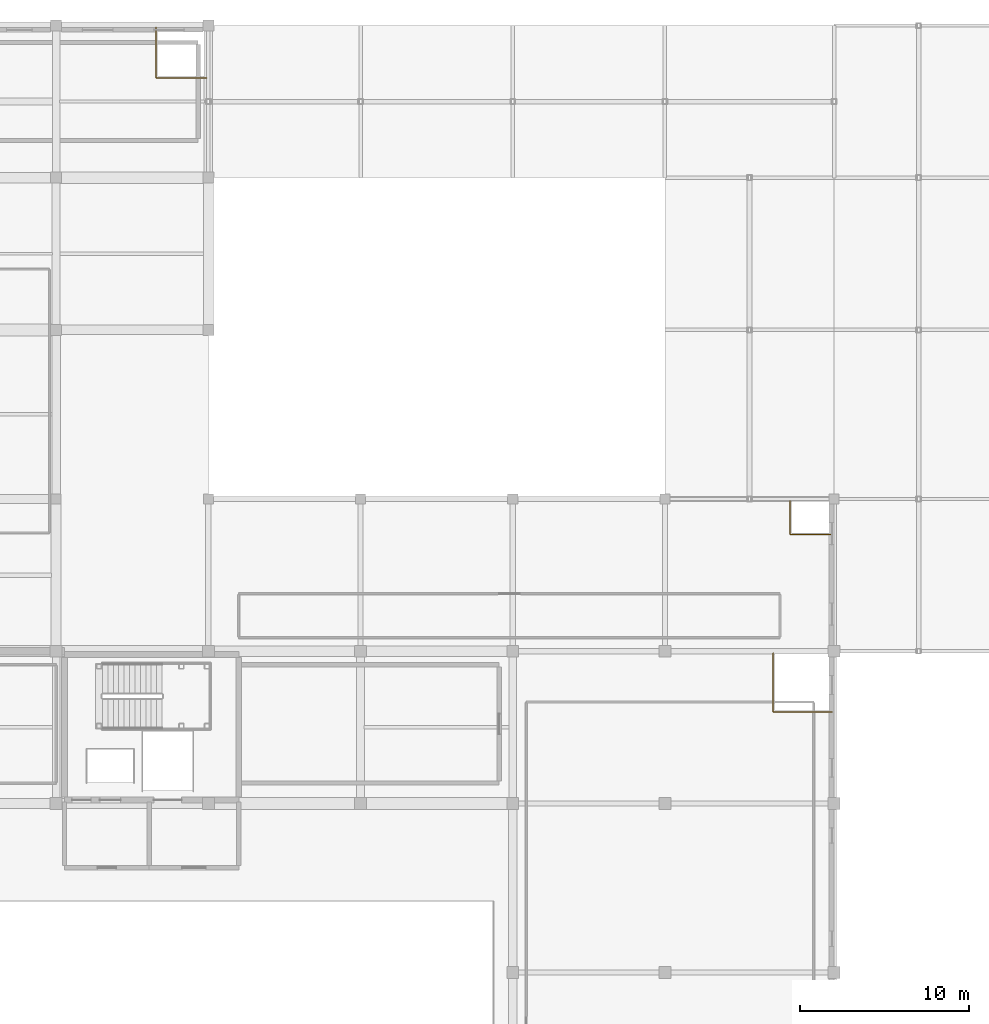
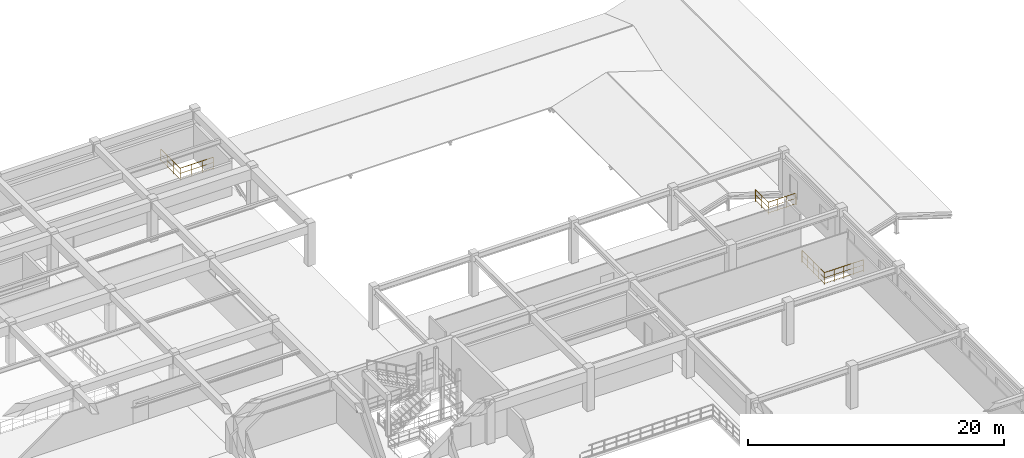
# One storey, part 110 of 110: 3 railings.
"""IFC4 building model written with IfcOpenShell, lengths in metres."""

import ifcopenshell
import ifcopenshell.guid

model = None  # the IFC model being written
_history = None  # IfcOwnerHistory: only IFC2X3 demands one
_inside = {}  # id of a spatial element -> (the spatial element, [elements in it])
_under = {}  # id of a project, library or spatial element -> (it, [spatial elements below it])
_declared = {}  # id of a project -> (the project, [libraries it declares])
_typed = {}  # id of a type object -> (the type object, [elements of that type])
_made_of = {}  # id of a material, layer set ... -> (it, [elements and type objects made of it])


def new_model(schema):
    """Start an empty IFC model of exactly this schema.

    Asked for "IFC4X3", IfcOpenShell would pick the latest addendum, in which some entities
    have other attributes; the version numbers below select the first issue.
    IFC2X3 requires an IfcOwnerHistory on every rooted entity: one is made here for all.
    """
    global model, _history
    if schema == "IFC4X3":
        model = ifcopenshell.file(schema_version=(4, 3, 0, 0))
    else:
        model = ifcopenshell.file(schema=schema)
    _inside.clear()
    _under.clear()
    _declared.clear()
    _typed.clear()
    _made_of.clear()
    _history = None
    if model.schema == "IFC2X3":
        org = make("IfcOrganization", Name="unknown")
        user = make(
            "IfcPersonAndOrganization",
            ThePerson=make("IfcPerson", FamilyName="unknown"),
            TheOrganization=org,
        )
        app = make(
            "IfcApplication",
            ApplicationDeveloper=org,
            Version="unknown",
            ApplicationFullName="unknown",
            ApplicationIdentifier="unknown",
        )
        _history = make(
            "IfcOwnerHistory",
            OwningUser=user,
            OwningApplication=app,
            ChangeAction="ADDED",
            CreationDate=0,
        )
    return model


def make(cls, **values):
    """One entity of the class cls with the attributes given. An attribute that is None is left unset."""
    return model.create_entity(
        cls, **{name: value for name, value in values.items() if value is not None}
    )


def rooted(cls, **values):
    """An entity with a GlobalId (a new one), such as an element, a storey or a relation."""
    return make(cls, GlobalId=ifcopenshell.guid.new(), OwnerHistory=_history, **values)


def si_unit(unit_type, name, prefix=None):
    """IfcSIUnit, for example si_unit("LENGTHUNIT", "METRE", prefix="MILLI")."""
    return make("IfcSIUnit", UnitType=unit_type, Prefix=prefix, Name=name)


def assignment(units):
    """IfcUnitAssignment: the units of a project."""
    return None if units is None else make("IfcUnitAssignment", Units=units)


def point(xyz):
    """IfcCartesianPoint."""
    return None if xyz is None else make("IfcCartesianPoint", Coordinates=xyz)


def direction(xyz):
    """IfcDirection."""
    return None if xyz is None else make("IfcDirection", DirectionRatios=xyz)


def frame(location, z_axis=None, x_axis=None):
    """IfcAxis2Placement3D, a coordinate frame: its origin and axes. An axis left out is left unset."""
    return make(
        "IfcAxis2Placement3D",
        Location=point(location),
        Axis=direction(z_axis),
        RefDirection=direction(x_axis),
    )


def frame_2d(location, x_axis=None):
    """IfcAxis2Placement2D, a coordinate frame in the plane: its origin and x axis."""
    return make(
        "IfcAxis2Placement2D", Location=point(location), RefDirection=direction(x_axis)
    )


def origin():
    """The frame at (0, 0, 0) with its axes left unset."""
    return frame((0.0, 0.0, 0.0))


def origin_2d():
    """The frame at (0, 0) in the plane with its x axis left unset."""
    return frame_2d((0.0, 0.0))


def place(relative_to, where):
    """IfcLocalPlacement: puts the frame where relative to a parent placement (None: the world)."""
    return make(
        "IfcLocalPlacement", PlacementRelTo=relative_to, RelativePlacement=where
    )


def context(
    kind, dimensions, precision=None, world=None, true_north=None, identifier=None
):
    """IfcGeometricRepresentationContext, for example the 3D "Model" context."""
    return make(
        "IfcGeometricRepresentationContext",
        ContextIdentifier=identifier,
        ContextType=kind,
        CoordinateSpaceDimension=dimensions,
        Precision=precision,
        WorldCoordinateSystem=world,
        TrueNorth=true_north,
    )


def subcontext(parent, identifier, kind, view, scale=None):
    """IfcGeometricRepresentationSubContext, for example "Body" below "Model"."""
    return make(
        "IfcGeometricRepresentationSubContext",
        ContextIdentifier=identifier,
        ContextType=kind,
        ParentContext=parent,
        TargetScale=scale,
        TargetView=view,
    )


def project(units=None, contexts=None):
    """IfcProject with its units and contexts."""
    return rooted(
        "IfcProject",
        Name="project",
        RepresentationContexts=contexts,
        UnitsInContext=assignment(units),
    )


def spatial(cls, under=None, at=None, **own):
    """A site, building, storey or space (cls), placed at a placement, below another one or the project."""
    s = rooted(cls, ObjectPlacement=at, **own)
    if under is not None:
        _under.setdefault(under.id(), (under, []))[1].append(s)
    return s


def profile(cls, at=None, kind="AREA", **sizes):
    """A parametric profile (cls). Its sizes go by their IFC names, for example OverallWidth=200.0."""
    return make(cls, ProfileType=kind, Position=at, **sizes)


def circle(**sizes):
    """IfcCircleProfileDef."""
    return profile("IfcCircleProfileDef", **sizes)


def extrude(swept, where, along, depth):
    """IfcExtrudedAreaSolid: the profile swept, set in the frame where, extruded along a direction by depth."""
    return make(
        "IfcExtrudedAreaSolid",
        SweptArea=swept,
        Position=where,
        ExtrudedDirection=direction(along),
        Depth=depth,
    )


def shape(context_of_items, identifier, shape_type, items):
    """IfcShapeRepresentation: the items that make up one representation, for example the "Body"."""
    return make(
        "IfcShapeRepresentation",
        ContextOfItems=context_of_items,
        RepresentationIdentifier=identifier,
        RepresentationType=shape_type,
        Items=items,
    )


def material(Name=None, Category=None):
    """IfcMaterial."""
    return make("IfcMaterial", Name=Name, Category=Category)


def made_of(thing, what):
    """Note that an element or type object is made of a material, layer set ...; save() writes the relation."""
    if what is not None:
        _made_of.setdefault(what.id(), (what, []))[1].append(thing)
    return thing


def type_object(cls, material=None, **own):
    """A type object (cls), such as IfcWallType, which elements share."""
    return made_of(rooted(cls, **own), material)


def element(
    cls,
    number,
    at=None,
    inside=None,
    cuts=None,
    type_object=None,
    material=None,
    context=None,
    identifier="Body",
    shape_type=None,
    held_by="IfcProductDefinitionShape",
    body=None,
    shapes=None,
    **own,
):
    """One element of the class cls, such as IfcWall. Its Tag is "e" and its number.

    at: its placement. inside: the storey or other place that contains it. cuts: it is an
    opening in that element (IfcRelVoidsElement). A single representation is given by context,
    identifier, shape_type and body (its items); several are given by shapes. held_by: the class
    of the entity that holds the representations. save() writes the other relations.
    """
    e = rooted(cls, Tag="e%d" % number, ObjectPlacement=at, **own)
    if body is not None:
        shapes = [shape(context, identifier, shape_type, body)]
    if shapes is not None:
        e.Representation = make(held_by, Representations=shapes)
    if inside is not None:
        _inside.setdefault(inside.id(), (inside, []))[1].append(e)
    if cuts is not None:
        rooted(
            "IfcRelVoidsElement", RelatingBuildingElement=cuts, RelatedOpeningElement=e
        )
    if type_object is not None:
        _typed.setdefault(type_object.id(), (type_object, []))[1].append(e)
    return made_of(e, material)


def aggregate(whole, parts):
    """IfcRelAggregates: a whole, such as a stair, and the parts it consists of."""
    return rooted("IfcRelAggregates", RelatingObject=whole, RelatedObjects=parts)


def save(model, path):
    """Write the relations noted so far, then the file.

    IfcRelAggregates (storeys below a building ...), IfcRelContainedInSpatialStructure (elements
    in a storey), IfcRelDefinesByType, IfcRelAssociatesMaterial and IfcRelDeclares: one each for
    every whole, place, type object, material and project.
    """
    for whole, parts in _under.values():
        aggregate(whole, parts)
    for where, things in _inside.values():
        rooted(
            "IfcRelContainedInSpatialStructure",
            RelatedElements=things,
            RelatingStructure=where,
        )
    for kind, things in _typed.values():
        rooted("IfcRelDefinesByType", RelatedObjects=things, RelatingType=kind)
    for what, things in _made_of.values():
        rooted("IfcRelAssociatesMaterial", RelatedObjects=things, RelatingMaterial=what)
    for by, libraries in _declared.values():
        rooted("IfcRelDeclares", RelatingContext=by, RelatedDefinitions=libraries)
    model.write(path)


model = new_model("IFC4")

# Units and contexts
model_context = context("Model", 3, precision=1e-05, world=origin(), true_north=direction((0.0, 1.0)))
body_context = subcontext(model_context, "Body", "Model", "MODEL_VIEW")
ifc_project = project(units=[si_unit("LENGTHUNIT", "METRE"), si_unit("AREAUNIT", "SQUARE_METRE"), si_unit("VOLUMEUNIT", "CUBIC_METRE"), si_unit("PLANEANGLEUNIT", "RADIAN"), si_unit("MASSUNIT", "GRAM", prefix="KILO")], contexts=[model_context])

# Site, building, storey
site_placement = place(None, origin())
site = spatial("IfcSite", under=ifc_project, at=site_placement, CompositionType="ELEMENT")
building_placement = place(site_placement, origin())
building = spatial("IfcBuilding", under=site, at=building_placement, Name="Miravela Opera House", CompositionType="ELEMENT")
storey_placement = place(building_placement, frame((0.0, 0.0, 13.60009765625)))
storey = spatial("IfcBuildingStorey", under=building, at=storey_placement, Name="L03", CompositionType="ELEMENT", Elevation=13.60009765625)

# Railings
ifc_material = material(Name="Spanish Colonial wrought-iron terrace guard")
railing_type = type_object("IfcRailingType", Name="ARC-RAIL-TERR-GUARD", PredefinedType="GUARDRAIL", material=ifc_material)
railing_1_placement = place(storey_placement, frame((153.89990234375, 71.39990234375, 0.0)))
element("IfcRailing", 1, at=railing_1_placement, inside=storey, type_object=railing_type, Name="SLAB-L03-V2E Stepped Corner Guardrail 0186", PredefinedType="GUARDRAIL", context=body_context, shape_type="SweptSolid", body=[
    extrude(circle(Radius=0.02685546875, at=origin_2d()), frame((0.0, 0.0, 1.1328125), z_axis=(-1.0, 0.0, 0.0), x_axis=(0.0, -1.0, 0.0)), (0.0, 0.0, 1.0), 3.5),
    extrude(circle(Radius=0.01611328125, at=origin_2d()), frame((0.0, 0.0, 0.637939453125), z_axis=(-1.0, 0.0, 0.0), x_axis=(0.0, -1.0, 0.0)), (0.0, 0.0, 1.0), 3.5),
    extrude(circle(Radius=0.01611328125, at=origin_2d()), frame((0.0, 0.0, 0.1201171875), z_axis=(-1.0, 0.0, 0.0), x_axis=(0.0, -1.0, 0.0)), (0.0, 0.0, 1.0), 3.5),
    extrude(circle(Radius=0.02685546875, at=origin_2d()), frame((-3.5, 0.0, 1.1328125), z_axis=(0.0, 1.0, 0.0), x_axis=(-1.0, 0.0, 0.0)), (0.0, 0.0, 1.0), 3.5),
    extrude(circle(Radius=0.01611328125, at=origin_2d()), frame((-3.5, 0.0, 0.637939453125), z_axis=(0.0, 1.0, 0.0), x_axis=(-1.0, 0.0, 0.0)), (0.0, 0.0, 1.0), 3.5),
    extrude(circle(Radius=0.01611328125, at=origin_2d()), frame((-3.5, 0.0, 0.1201171875), z_axis=(0.0, 1.0, 0.0), x_axis=(-1.0, 0.0, 0.0)), (0.0, 0.0, 1.0), 3.5),
    extrude(circle(Radius=0.02099609375, at=origin_2d()), origin(), (0.0, 0.0, 1.0), 1.10595703125),
    extrude(circle(Radius=0.02099609375, at=origin_2d()), frame((-0.875, 0.0, 0.0)), (0.0, 0.0, 1.0), 1.10595703125),
    extrude(circle(Radius=0.02099609375, at=origin_2d()), frame((-1.75, 0.0, 0.0)), (0.0, 0.0, 1.0), 1.10595703125),
    extrude(circle(Radius=0.02099609375, at=origin_2d()), frame((-2.625, 0.0, 0.0)), (0.0, 0.0, 1.0), 1.10595703125),
    extrude(circle(Radius=0.02099609375, at=origin_2d()), frame((-3.5, 0.0, 0.0)), (0.0, 0.0, 1.0), 1.10595703125),
    extrude(circle(Radius=0.02099609375, at=origin_2d()), frame((-3.5, 0.875, 0.0)), (0.0, 0.0, 1.0), 1.10595703125),
    extrude(circle(Radius=0.02099609375, at=origin_2d()), frame((-3.5, 1.75, 0.0)), (0.0, 0.0, 1.0), 1.10595703125),
    extrude(circle(Radius=0.02099609375, at=origin_2d()), frame((-3.5, 2.625, 0.0)), (0.0, 0.0, 1.0), 1.10595703125),
    extrude(circle(Radius=0.02099609375, at=origin_2d()), frame((-3.5, 3.5, 0.0)), (0.0, 0.0, 1.0), 1.10595703125),
])
railing_2_placement = place(storey_placement, frame((116.89990234375, 108.89990234375, 0.0)))
element("IfcRailing", 2, at=railing_2_placement, inside=storey, type_object=railing_type, Name="SLAB-L03-V3M2 Stepped Corner Guardrail 0189", PredefinedType="GUARDRAIL", context=body_context, shape_type="SweptSolid", body=[
    extrude(circle(Radius=0.02685546875, at=origin_2d()), frame((0.0, 0.0, 1.1328125), z_axis=(-1.0, 0.0, 0.0), x_axis=(0.0, -1.0, 0.0)), (0.0, 0.0, 1.0), 3.0),
    extrude(circle(Radius=0.01611328125, at=origin_2d()), frame((0.0, 0.0, 0.637939453125), z_axis=(-1.0, 0.0, 0.0), x_axis=(0.0, -1.0, 0.0)), (0.0, 0.0, 1.0), 3.0),
    extrude(circle(Radius=0.01611328125, at=origin_2d()), frame((0.0, 0.0, 0.1201171875), z_axis=(-1.0, 0.0, 0.0), x_axis=(0.0, -1.0, 0.0)), (0.0, 0.0, 1.0), 3.0),
    extrude(circle(Radius=0.02685546875, at=origin_2d()), frame((-3.0, 0.0, 1.1328125), z_axis=(0.0, 1.0, 0.0), x_axis=(-1.0, 0.0, 0.0)), (0.0, 0.0, 1.0), 3.0),
    extrude(circle(Radius=0.01611328125, at=origin_2d()), frame((-3.0, 0.0, 0.637939453125), z_axis=(0.0, 1.0, 0.0), x_axis=(-1.0, 0.0, 0.0)), (0.0, 0.0, 1.0), 3.0),
    extrude(circle(Radius=0.01611328125, at=origin_2d()), frame((-3.0, 0.0, 0.1201171875), z_axis=(0.0, 1.0, 0.0), x_axis=(-1.0, 0.0, 0.0)), (0.0, 0.0, 1.0), 3.0),
    extrude(circle(Radius=0.02099609375, at=origin_2d()), origin(), (0.0, 0.0, 1.0), 1.10595703125),
    extrude(circle(Radius=0.02099609375, at=origin_2d()), frame((-1.0, 0.0, 0.0)), (0.0, 0.0, 1.0), 1.10595703125),
    extrude(circle(Radius=0.02099609375, at=origin_2d()), frame((-2.0, 0.0, 0.0)), (0.0, 0.0, 1.0), 1.10595703125),
    extrude(circle(Radius=0.02099609375, at=origin_2d()), frame((-3.0, 0.0, 0.0)), (0.0, 0.0, 1.0), 1.10595703125),
    extrude(circle(Radius=0.02099609375, at=origin_2d()), frame((-3.0, 1.0, 0.0)), (0.0, 0.0, 1.0), 1.10595703125),
    extrude(circle(Radius=0.02099609375, at=origin_2d()), frame((-3.0, 2.0, 0.0)), (0.0, 0.0, 1.0), 1.10595703125),
    extrude(circle(Radius=0.02099609375, at=origin_2d()), frame((-3.0, 3.0, 0.0)), (0.0, 0.0, 1.0), 1.10595703125),
])
railing_3_placement = place(storey_placement, frame((153.89990234375, 81.89990234375, 0.0)))
element("IfcRailing", 3, at=railing_3_placement, inside=storey, type_object=railing_type, Name="SLAB-L03-V3E Stepped Corner Guardrail 0190", PredefinedType="GUARDRAIL", context=body_context, shape_type="SweptSolid", body=[
    extrude(circle(Radius=0.02685546875, at=origin_2d()), frame((0.0, 0.0, 1.1328125), z_axis=(-1.0, 0.0, 0.0), x_axis=(0.0, -1.0, 0.0)), (0.0, 0.0, 1.0), 2.5),
    extrude(circle(Radius=0.01611328125, at=origin_2d()), frame((0.0, 0.0, 0.637939453125), z_axis=(-1.0, 0.0, 0.0), x_axis=(0.0, -1.0, 0.0)), (0.0, 0.0, 1.0), 2.5),
    extrude(circle(Radius=0.01611328125, at=origin_2d()), frame((0.0, 0.0, 0.1201171875), z_axis=(-1.0, 0.0, 0.0), x_axis=(0.0, -1.0, 0.0)), (0.0, 0.0, 1.0), 2.5),
    extrude(circle(Radius=0.02685546875, at=origin_2d()), frame((-2.5, 0.0, 1.1328125), z_axis=(0.0, 1.0, 0.0), x_axis=(-1.0, 0.0, 0.0)), (0.0, 0.0, 1.0), 2.0),
    extrude(circle(Radius=0.01611328125, at=origin_2d()), frame((-2.5, 0.0, 0.637939453125), z_axis=(0.0, 1.0, 0.0), x_axis=(-1.0, 0.0, 0.0)), (0.0, 0.0, 1.0), 2.0),
    extrude(circle(Radius=0.01611328125, at=origin_2d()), frame((-2.5, 0.0, 0.1201171875), z_axis=(0.0, 1.0, 0.0), x_axis=(-1.0, 0.0, 0.0)), (0.0, 0.0, 1.0), 2.0),
    extrude(circle(Radius=0.02099609375, at=origin_2d()), origin(), (0.0, 0.0, 1.0), 1.10595703125),
    extrude(circle(Radius=0.02099609375, at=origin_2d()), frame((-0.833251953125, 0.0, 0.0)), (0.0, 0.0, 1.0), 1.10595703125),
    extrude(circle(Radius=0.02099609375, at=origin_2d()), frame((-1.666748046875, 0.0, 0.0)), (0.0, 0.0, 1.0), 1.10595703125),
    extrude(circle(Radius=0.02099609375, at=origin_2d()), frame((-2.5, 0.0, 0.0)), (0.0, 0.0, 1.0), 1.10595703125),
    extrude(circle(Radius=0.02099609375, at=origin_2d()), frame((-2.5, 1.0, 0.0)), (0.0, 0.0, 1.0), 1.10595703125),
    extrude(circle(Radius=0.02099609375, at=origin_2d()), frame((-2.5, 2.0, 0.0)), (0.0, 0.0, 1.0), 1.10595703125),
])

save(model, "model.ifc")
